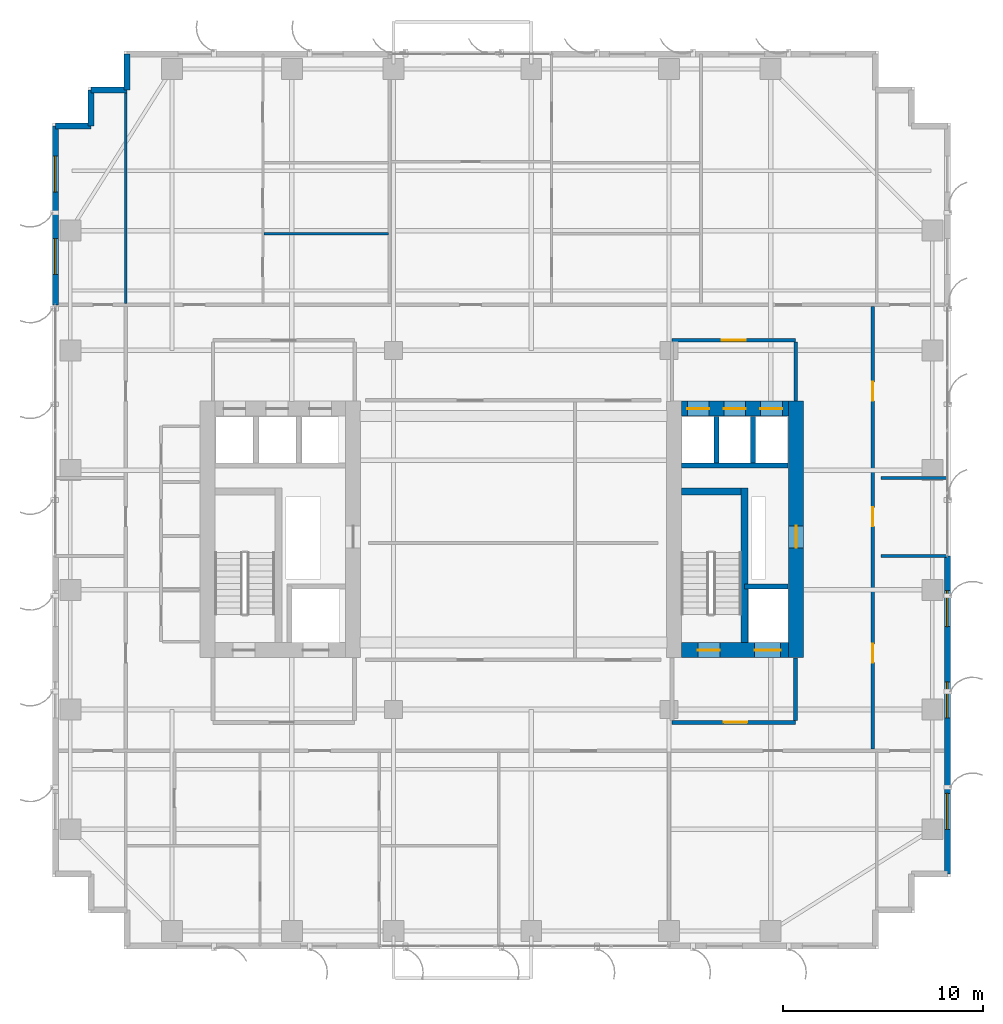
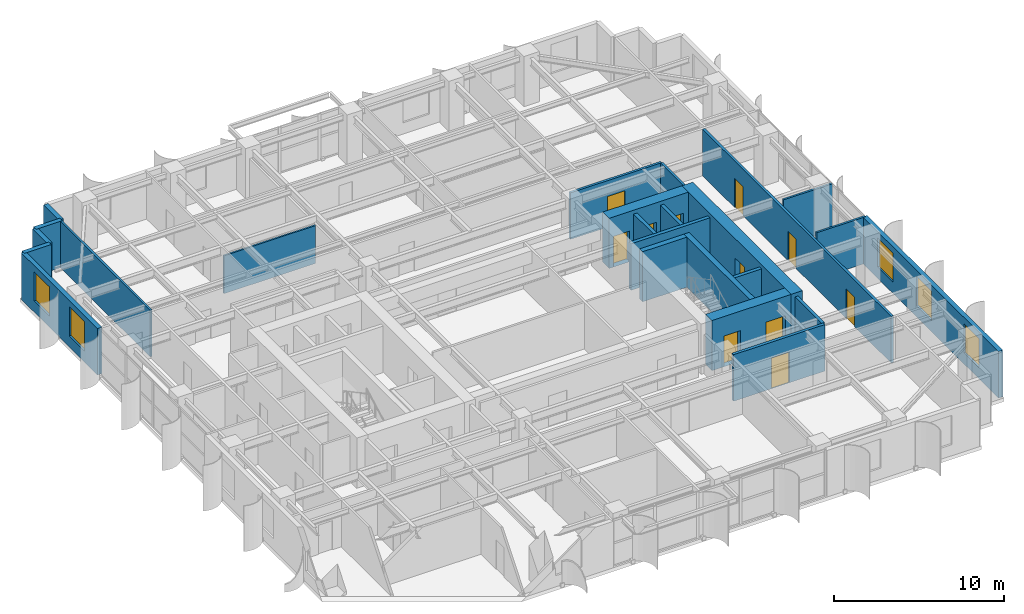
# One storey, part 18 of 23: 24 walls, 11 doors, 5 windows, 16 openings.
"""IFC4 building model written with IfcOpenShell, lengths in metres."""

from ifc_helpers import new_model, si_unit, direction, frame, frame_2d, origin, place, context, subcontext, project, spatial, rectangle, extrude, source, transform, mapped, material, layer, layer_set, type_object, element, fill, save


model = new_model("IFC4")

# Units and contexts
model_context = context("Model", 3, precision=1e-05, world=origin(), true_north=direction((0.0, 1.0)))
body_context = subcontext(model_context, "Body", "Model", "MODEL_VIEW")
ifc_project = project(units=[si_unit("LENGTHUNIT", "METRE"), si_unit("AREAUNIT", "SQUARE_METRE"), si_unit("VOLUMEUNIT", "CUBIC_METRE"), si_unit("PLANEANGLEUNIT", "RADIAN"), si_unit("MASSUNIT", "GRAM", prefix="KILO")], contexts=[model_context])

# Site, building, storey
site_placement = place(None, origin())
site = spatial("IfcSite", under=ifc_project, at=site_placement, CompositionType="ELEMENT")
building_placement = place(site_placement, origin())
building = spatial("IfcBuilding", under=site, at=building_placement, Name="Khoralis Quay Care Tower", CompositionType="ELEMENT")
storey_placement = place(building_placement, frame((0.0, 0.0, 119.699951171875)))
storey = spatial("IfcBuildingStorey", under=building, at=storey_placement, Name="L31", CompositionType="ELEMENT", Elevation=119.699951171875)

# Wall, opening, door
ifc_material_1 = material(Name="Gypsum plasterboard on acoustic metal stud")
ifc_layer_1 = layer(ifc_material_1, 0.199951171875)
ifc_layer_set_1 = layer_set([ifc_layer_1], Name="Gypsum plasterboard on acoustic metal stud")
wall_type_1 = type_object("IfcWallType", Name="WL-COMP-200", PredefinedType="PARTITIONING", material=ifc_layer_set_1)
wall_1_placement = place(storey_placement, frame((31.050048828125, 11.35009765625, 0.0), z_axis=(0.0, 0.0, 1.0), x_axis=(1.0, 0.0, 0.0)))
wall_1 = element("IfcWall", 1, at=wall_1_placement, inside=storey, type_object=wall_type_1, Name="L31 East Firefighting Lobby South Wall", PredefinedType="PARTITIONING", context=body_context, shape_type="SweptSolid", body=[
    extrude(rectangle(XDim=6.199951171875, YDim=0.199951171875, at=frame_2d((3.10009765625, 0.0))), origin(), (0.0, 0.0, 1.0), 3.340087890625),
])
opening_1_placement = place(wall_1_placement, frame((2.585693359375, 0.0, 0.0)))
opening_1 = element("IfcOpeningElement", 2, at=opening_1_placement, cuts=wall_1, Name="Opening FD1", PredefinedType="OPENING", context=body_context, shape_type="SweptSolid", body=[
    extrude(rectangle(XDim=1.199951171875, YDim=2.199951171875, at=frame_2d((0.60009765625, 1.10009765625))), frame((0.0, 0.10986328125, 0.0), z_axis=(0.0, -1.0, 0.0), x_axis=(1.0, 0.0, 0.0)), (0.0, 0.0, 1.0), 0.219970703125),
])
ifc_material_2 = material(Name="Fire-rated painted steel", Category="steel")
door_type_1 = type_object("IfcDoorType", Name="DR-FFL-1200X2200", OperationType="NOTDEFINED", PredefinedType="DOOR", material=ifc_material_2)
shared_shape_1 = source(origin(), body_context, "Body", "SweptSolid", [
    extrude(rectangle(XDim=1.199951171875, YDim=2.199951171875, at=frame_2d((0.60009765625, 1.10009765625))), frame((0.0, 0.02490234375, 0.0), z_axis=(0.0, -1.0, 0.0), x_axis=(1.0, 0.0, 0.0)), (0.0, 0.0, 1.0), 0.050048828125),
])
door_1_placement = place(opening_1_placement, origin())
door_1 = element("IfcDoor", 3, at=door_1_placement, inside=storey, type_object=door_type_1, Name="L31 East Firefighting Lobby Fire Door", OperationType="SINGLE_SWING_RIGHT", OverallHeight=2.199951171875, OverallWidth=1.199951171875, PredefinedType="DOOR", context=body_context, shape_type="MappedRepresentation", body=[
    mapped(shared_shape_1, transform((0.0, 0.0, 0.0), scale=1.0)),
])
fill(opening_1, door_1)

# Wall
wall_2_placement = place(storey_placement, frame((37.25, 11.445068359375, 0.0), z_axis=(0.0, 0.0, 1.0), x_axis=(0.0, 1.0, 0.0)))
element("IfcWall", 4, at=wall_2_placement, inside=storey, type_object=wall_type_1, Name="L31 East Firefighting Lobby East Wall", PredefinedType="PARTITIONING", context=body_context, shape_type="SweptSolid", body=[
    extrude(rectangle(XDim=3.135009765625, YDim=0.199951171875, at=frame_2d((1.5673828125, 0.0))), origin(), (0.0, 0.0, 1.0), 3.340087890625),
])

# Wall, opening, door
ifc_material_3 = material(Name="Concrete C80/95", Category="concrete")
ifc_layer_2 = layer(ifc_material_3, 0.75)
ifc_layer_set_2 = layer_set([ifc_layer_2], Name="Concrete C80/95")
wall_type_2 = type_object("IfcWallType", Name="WL-CORE-750", PredefinedType="SHEAR", material=ifc_layer_set_2)
wall_3_placement = place(storey_placement, frame((37.27490234375, 14.60009765625, 0.0), z_axis=(0.0, 0.0, 1.0), x_axis=(0.0, 1.0, 0.0)))
wall_3 = element("IfcWall", 5, at=wall_3_placement, inside=storey, type_object=wall_type_2, Name="L31 ECORE East Shear Wall", PredefinedType="SHEAR", context=body_context, shape_type="SweptSolid", body=[
    extrude(rectangle(XDim=12.849853515625, YDim=0.75, at=frame_2d((6.4248046875, 0.0))), origin(), (0.0, 0.0, 1.0), 3.60009765625),
])
opening_2_placement = place(wall_3_placement, frame((5.5, 0.0, 0.0)))
opening_2 = element("IfcOpeningElement", 6, at=opening_2_placement, cuts=wall_3, Name="Opening SD1", PredefinedType="OPENING", context=body_context, shape_type="SweptSolid", body=[
    extrude(rectangle(XDim=1.10009765625, YDim=2.199951171875, at=frame_2d((0.550048828125, 1.10009765625))), frame((0.0, 0.385009765625, 0.0), z_axis=(0.0, -1.0, 0.0), x_axis=(1.0, 0.0, 0.0)), (0.0, 0.0, 1.0), 0.77001953125),
])
door_type_2 = type_object("IfcDoorType", Name="DR-STAIR-1100X2200", OperationType="NOTDEFINED", PredefinedType="DOOR", material=ifc_material_2)
shared_shape_2 = source(origin(), body_context, "Body", "SweptSolid", [
    extrude(rectangle(XDim=1.10009765625, YDim=2.199951171875, at=frame_2d((0.550048828125, 1.10009765625))), frame((0.0, 0.02490234375, 0.0), z_axis=(0.0, -1.0, 0.0), x_axis=(1.0, 0.0, 0.0)), (0.0, 0.0, 1.0), 0.050048828125),
])
door_2_placement = place(opening_2_placement, frame((1.10009765625, 0.0, 0.0), z_axis=(0.0, 0.0, 1.0), x_axis=(-1.0, 0.0, 0.0)))
door_2 = element("IfcDoor", 7, at=door_2_placement, inside=storey, type_object=door_type_2, Name="L31 East MEP Riser Door", OperationType="SINGLE_SWING_RIGHT", OverallHeight=2.199951171875, OverallWidth=1.10009765625, PredefinedType="DOOR", context=body_context, shape_type="MappedRepresentation", body=[
    mapped(shared_shape_2, transform((0.0, 0.0, 0.0), scale=1.0)),
])
fill(opening_2, door_2)

# Wall, openings, doors
wall_4_placement = place(storey_placement, frame((31.52001953125, 14.97509765625, 0.0), z_axis=(0.0, 0.0, 1.0), x_axis=(1.0, 0.0, 0.0)))
wall_4 = element("IfcWall", 8, at=wall_4_placement, inside=storey, type_object=wall_type_2, Name="L31 ECORE South Shear Wall", PredefinedType="SHEAR", context=body_context, shape_type="SweptSolid", body=[
    extrude(rectangle(XDim=5.3798828125, YDim=0.75, at=frame_2d((2.68994140625, 0.0))), origin(), (0.0, 0.0, 1.0), 3.60009765625),
])
opening_3_placement = place(wall_4_placement, frame((0.830078125, 0.0, 0.0)))
opening_3 = element("IfcOpeningElement", 9, at=opening_3_placement, cuts=wall_4, Name="Opening SD1", PredefinedType="OPENING", context=body_context, shape_type="SweptSolid", body=[
    extrude(rectangle(XDim=1.10009765625, YDim=2.199951171875, at=frame_2d((0.550048828125, 1.10009765625))), frame((0.0, 0.385009765625, 0.0), z_axis=(0.0, -1.0, 0.0), x_axis=(1.0, 0.0, 0.0)), (0.0, 0.0, 1.0), 0.77001953125),
])
opening_4_placement = place(wall_4_placement, frame((3.679931640625, 0.0, 0.0)))
opening_4 = element("IfcOpeningElement", 10, at=opening_4_placement, cuts=wall_4, Name="Opening LD2", PredefinedType="OPENING", context=body_context, shape_type="SweptSolid", body=[
    extrude(rectangle(XDim=1.300048828125, YDim=2.199951171875, at=frame_2d((0.64990234375, 1.10009765625))), frame((0.0, 0.385009765625, 0.0), z_axis=(0.0, -1.0, 0.0), x_axis=(1.0, 0.0, 0.0)), (0.0, 0.0, 1.0), 0.77001953125),
])
door_3_placement = place(opening_3_placement, origin())
door_3 = element("IfcDoor", 11, at=door_3_placement, inside=storey, type_object=door_type_2, Name="L31 Stair ST-T2 Fire Door", OperationType="SINGLE_SWING_RIGHT", OverallHeight=2.199951171875, OverallWidth=1.10009765625, PredefinedType="DOOR", context=body_context, shape_type="MappedRepresentation", body=[
    mapped(shared_shape_2, transform((0.0, 0.0, 0.0), scale=1.0)),
])
fill(opening_3, door_3)
ifc_material_4 = material(Name="Brushed stainless steel", Category="steel")
door_type_3 = type_object("IfcDoorType", Name="DR-LIFT-1300X2200", OperationType="SLIDING_TO_RIGHT", PredefinedType="DOOR", material=ifc_material_4)
shared_shape_3 = source(origin(), body_context, "Body", "SweptSolid", [
    extrude(rectangle(XDim=1.300048828125, YDim=2.199951171875, at=frame_2d((0.64990234375, 1.10009765625))), frame((0.0, 0.02490234375, 0.0), z_axis=(0.0, -1.0, 0.0), x_axis=(1.0, 0.0, 0.0)), (0.0, 0.0, 1.0), 0.050048828125),
])
door_4_placement = place(opening_4_placement, origin())
door_4 = element("IfcDoor", 12, at=door_4_placement, inside=storey, type_object=door_type_3, Name="L31 Firefighting Lift FFL-2 Landing Door", OperationType="SLIDING_TO_RIGHT", OverallHeight=2.199951171875, OverallWidth=1.300048828125, PredefinedType="DOOR", context=body_context, shape_type="MappedRepresentation", body=[
    mapped(shared_shape_3, transform((0.0, 0.0, 0.0), scale=1.0)),
])
fill(opening_4, door_4)

wall_5_placement = place(storey_placement, frame((31.52001953125, 27.074951171875, 0.0), z_axis=(0.0, 0.0, 1.0), x_axis=(1.0, 0.0, 0.0)))
wall_5 = element("IfcWall", 13, at=wall_5_placement, inside=storey, type_object=wall_type_2, Name="L31 ECORE North Shear Wall", PredefinedType="SHEAR", context=body_context, shape_type="SweptSolid", body=[
    extrude(rectangle(XDim=5.3798828125, YDim=0.75, at=frame_2d((2.68994140625, 0.0))), origin(), (0.0, 0.0, 1.0), 3.60009765625),
])
opening_5_placement = place(wall_5_placement, frame((0.300048828125, 0.0, 0.0)))
opening_5 = element("IfcOpeningElement", 14, at=opening_5_placement, cuts=wall_5, Name="Opening LD1", PredefinedType="OPENING", context=body_context, shape_type="SweptSolid", body=[
    extrude(rectangle(XDim=1.10009765625, YDim=2.199951171875, at=frame_2d((0.550048828125, 1.10009765625))), frame((0.0, 0.385009765625, 0.0), z_axis=(0.0, -1.0, 0.0), x_axis=(1.0, 0.0, 0.0)), (0.0, 0.0, 1.0), 0.77001953125),
])
opening_6_placement = place(wall_5_placement, frame((2.1298828125, 0.0, 0.0)))
opening_6 = element("IfcOpeningElement", 15, at=opening_6_placement, cuts=wall_5, Name="Opening LD1", PredefinedType="OPENING", context=body_context, shape_type="SweptSolid", body=[
    extrude(rectangle(XDim=1.10009765625, YDim=2.199951171875, at=frame_2d((0.550048828125, 1.10009765625))), frame((0.0, 0.385009765625, 0.0), z_axis=(0.0, -1.0, 0.0), x_axis=(1.0, 0.0, 0.0)), (0.0, 0.0, 1.0), 0.77001953125),
])
opening_7_placement = place(wall_5_placement, frame((3.9599609375, 0.0, 0.0)))
opening_7 = element("IfcOpeningElement", 16, at=opening_7_placement, cuts=wall_5, Name="Opening LD1", PredefinedType="OPENING", context=body_context, shape_type="SweptSolid", body=[
    extrude(rectangle(XDim=1.10009765625, YDim=2.199951171875, at=frame_2d((0.550048828125, 1.10009765625))), frame((0.0, 0.385009765625, 0.0), z_axis=(0.0, -1.0, 0.0), x_axis=(1.0, 0.0, 0.0)), (0.0, 0.0, 1.0), 0.77001953125),
])
door_type_4 = type_object("IfcDoorType", Name="DR-LIFT-1100X2200", OperationType="SLIDING_TO_LEFT", PredefinedType="DOOR", material=ifc_material_4)
shared_shape_4 = source(origin(), body_context, "Body", "SweptSolid", [
    extrude(rectangle(XDim=1.10009765625, YDim=2.199951171875, at=frame_2d((0.550048828125, 1.10009765625))), frame((0.0, 0.02490234375, 0.0), z_axis=(0.0, -1.0, 0.0), x_axis=(1.0, 0.0, 0.0)), (0.0, 0.0, 1.0), 0.050048828125),
])
door_5_placement = place(opening_5_placement, origin())
door_5 = element("IfcDoor", 17, at=door_5_placement, inside=storey, type_object=door_type_4, Name="L31 Lift PLL2 Landing Door", OperationType="SLIDING_TO_LEFT", OverallHeight=2.199951171875, OverallWidth=1.10009765625, PredefinedType="DOOR", context=body_context, shape_type="MappedRepresentation", body=[
    mapped(shared_shape_4, transform((0.0, 0.0, 0.0), scale=1.0)),
])
fill(opening_5, door_5)
door_6_placement = place(opening_6_placement, origin())
door_6 = element("IfcDoor", 18, at=door_6_placement, inside=storey, type_object=door_type_4, Name="L31 Lift PLM2 Landing Door", OperationType="SLIDING_TO_LEFT", OverallHeight=2.199951171875, OverallWidth=1.10009765625, PredefinedType="DOOR", context=body_context, shape_type="MappedRepresentation", body=[
    mapped(shared_shape_4, transform((0.0, 0.0, 0.0), scale=1.0)),
])
fill(opening_6, door_6)
door_7_placement = place(opening_7_placement, origin())
door_7 = element("IfcDoor", 19, at=door_7_placement, inside=storey, type_object=door_type_4, Name="L31 Lift PLH2 Landing Door", OperationType="SLIDING_TO_LEFT", OverallHeight=2.199951171875, OverallWidth=1.10009765625, PredefinedType="DOOR", context=body_context, shape_type="MappedRepresentation", body=[
    mapped(shared_shape_4, transform((0.0, 0.0, 0.0), scale=1.0)),
])
fill(opening_7, door_7)

# Wall, opening, door
ifc_layer_3 = layer(ifc_material_1, 0.1650390625)
ifc_layer_set_3 = layer_set([ifc_layer_3], Name="Gypsum plasterboard on acoustic metal stud")
wall_type_3 = type_object("IfcWallType", Name="WL-CORR-165", PredefinedType="PARTITIONING", material=ifc_layer_set_3)
wall_6_placement = place(storey_placement, frame((31.050048828125, 30.5, 0.0), z_axis=(0.0, 0.0, 1.0), x_axis=(1.0, 0.0, 0.0)))
wall_6 = element("IfcWall", 20, at=wall_6_placement, inside=storey, type_object=wall_type_3, Name="L31 East Lift Lobby North Wall", PredefinedType="PARTITIONING", context=body_context, shape_type="SweptSolid", body=[
    extrude(rectangle(XDim=6.199951171875, YDim=0.1650390625, at=frame_2d((3.10009765625, 0.0))), origin(), (0.0, 0.0, 1.0), 3.340087890625),
])
opening_8_placement = place(wall_6_placement, frame((2.5, 0.0, 0.0)))
opening_8 = element("IfcOpeningElement", 21, at=opening_8_placement, cuts=wall_6, Name="Opening FD1", PredefinedType="OPENING", context=body_context, shape_type="SweptSolid", body=[
    extrude(rectangle(XDim=1.199951171875, YDim=2.199951171875, at=frame_2d((0.60009765625, 1.10009765625))), frame((0.0, 0.092529296875, 0.0), z_axis=(0.0, -1.0, 0.0), x_axis=(1.0, 0.0, 0.0)), (0.0, 0.0, 1.0), 0.18505859375),
])
door_8_placement = place(opening_8_placement, origin())
door_8 = element("IfcDoor", 22, at=door_8_placement, inside=storey, type_object=door_type_1, Name="L31 East Lift Lobby Double Door", OperationType="DOUBLE_DOOR_SINGLE_SWING", OverallHeight=2.199951171875, OverallWidth=1.199951171875, PredefinedType="DOOR", context=body_context, shape_type="MappedRepresentation", body=[
    mapped(shared_shape_1, transform((0.0, 0.0, 0.0), scale=1.0)),
])
fill(opening_8, door_8)

# Wall
wall_7_placement = place(storey_placement, frame((37.25, 27.469970703125, 0.0), z_axis=(0.0, 0.0, 1.0), x_axis=(0.0, 1.0, 0.0)))
element("IfcWall", 23, at=wall_7_placement, inside=storey, type_object=wall_type_3, Name="L31 East Lift Lobby East Wall", PredefinedType="PARTITIONING", context=body_context, shape_type="SweptSolid", body=[
    extrude(rectangle(XDim=2.95263671875, YDim=0.1650390625, at=frame_2d((1.476318359375, 0.0))), origin(), (0.0, 0.0, 1.0), 3.340087890625),
])

# Wall, openings, doors
wall_8_placement = place(storey_placement, frame((41.1201171875, 10.017578125, 0.0), z_axis=(0.0, 0.0, 1.0), x_axis=(0.0, 1.0, 0.0)))
wall_8 = element("IfcWall", 24, at=wall_8_placement, inside=storey, type_object=wall_type_3, Name="L31 East Loop Corridor Wall", PredefinedType="PARTITIONING", context=body_context, shape_type="SweptSolid", body=[
    extrude(rectangle(XDim=22.184814453125, YDim=0.1650390625, at=frame_2d((11.09228515625, 0.0))), origin(), (0.0, 0.0, 1.0), 3.340087890625),
])
opening_9_placement = place(wall_8_placement, frame((4.327392578125, 0.0, 0.0)))
opening_9 = element("IfcOpeningElement", 25, at=opening_9_placement, cuts=wall_8, Name="Opening ID1", PredefinedType="OPENING", context=body_context, shape_type="SweptSolid", body=[
    extrude(rectangle(XDim=0.949951171875, YDim=2.10009765625, at=frame_2d((0.47509765625, 1.050048828125))), frame((0.0, 0.092529296875, 0.0), z_axis=(0.0, -1.0, 0.0), x_axis=(1.0, 0.0, 0.0)), (0.0, 0.0, 1.0), 0.18505859375),
])
opening_10_placement = place(wall_8_placement, frame((11.157470703125, 0.0, 0.0)))
opening_10 = element("IfcOpeningElement", 26, at=opening_10_placement, cuts=wall_8, Name="Opening ID1", PredefinedType="OPENING", context=body_context, shape_type="SweptSolid", body=[
    extrude(rectangle(XDim=0.949951171875, YDim=2.10009765625, at=frame_2d((0.47509765625, 1.050048828125))), frame((0.0, 0.092529296875, 0.0), z_axis=(0.0, -1.0, 0.0), x_axis=(1.0, 0.0, 0.0)), (0.0, 0.0, 1.0), 0.18505859375),
])
opening_11_placement = place(wall_8_placement, frame((17.447509765625, 0.0, 0.0)))
opening_11 = element("IfcOpeningElement", 27, at=opening_11_placement, cuts=wall_8, Name="Opening ID1", PredefinedType="OPENING", context=body_context, shape_type="SweptSolid", body=[
    extrude(rectangle(XDim=0.949951171875, YDim=2.10009765625, at=frame_2d((0.47509765625, 1.050048828125))), frame((0.0, 0.092529296875, 0.0), z_axis=(0.0, -1.0, 0.0), x_axis=(1.0, 0.0, 0.0)), (0.0, 0.0, 1.0), 0.18505859375),
])
ifc_material_5 = material(Name="Acoustic hardwood timber", Category="wood")
door_type_5 = type_object("IfcDoorType", Name="DR-ROOM-950X2100", OperationType="NOTDEFINED", PredefinedType="DOOR", material=ifc_material_5)
shared_shape_5 = source(origin(), body_context, "Body", "SweptSolid", [
    extrude(rectangle(XDim=0.949951171875, YDim=2.10009765625, at=frame_2d((0.47509765625, 1.050048828125))), frame((0.0, 0.02490234375, 0.0), z_axis=(0.0, -1.0, 0.0), x_axis=(1.0, 0.0, 0.0)), (0.0, 0.0, 1.0), 0.050048828125),
])
door_9_placement = place(opening_9_placement, frame((0.949951171875, 0.0, 0.0), z_axis=(0.0, 0.0, 1.0), x_axis=(-1.0, 0.0, 0.0)))
door_9 = element("IfcDoor", 28, at=door_9_placement, inside=storey, type_object=door_type_5, Name="L31 Therapy Consultation Room Door", OperationType="SINGLE_SWING_LEFT", OverallHeight=2.10009765625, OverallWidth=0.949951171875, PredefinedType="DOOR", context=body_context, shape_type="MappedRepresentation", body=[
    mapped(shared_shape_5, transform((0.0, 0.0, 0.0), scale=1.0)),
])
fill(opening_9, door_9)
door_10_placement = place(opening_10_placement, frame((0.949951171875, 0.0, 0.0), z_axis=(0.0, 0.0, 1.0), x_axis=(-1.0, 0.0, 0.0)))
door_10 = element("IfcDoor", 29, at=door_10_placement, inside=storey, type_object=door_type_5, Name="L31 Assisted Activity Lounge Door", OperationType="SINGLE_SWING_RIGHT", OverallHeight=2.10009765625, OverallWidth=0.949951171875, PredefinedType="DOOR", context=body_context, shape_type="MappedRepresentation", body=[
    mapped(shared_shape_5, transform((0.0, 0.0, 0.0), scale=1.0)),
])
fill(opening_10, door_10)
door_11_placement = place(opening_11_placement, frame((0.949951171875, 0.0, 0.0), z_axis=(0.0, 0.0, 1.0), x_axis=(-1.0, 0.0, 0.0)))
door_11 = element("IfcDoor", 30, at=door_11_placement, inside=storey, type_object=door_type_5, Name="L31 Nurse Charting Office Door", OperationType="SINGLE_SWING_LEFT", OverallHeight=2.10009765625, OverallWidth=0.949951171875, PredefinedType="DOOR", context=body_context, shape_type="MappedRepresentation", body=[
    mapped(shared_shape_5, transform((0.0, 0.0, 0.0), scale=1.0)),
])
fill(opening_11, door_11)

# Wall, openings, windows
ifc_material_6 = material(Name="Precast concrete C45/55", Category="concrete")
ifc_layer_4 = layer(ifc_material_6, 0.300048828125)
ifc_layer_set_4 = layer_set([ifc_layer_4], Name="Precast concrete C45/55")
wall_type_4 = type_object("IfcWallType", Name="WL-EXT-REF-300", PredefinedType="SOLIDWALL", material=ifc_layer_set_4)
wall_9_placement = place(storey_placement, frame((44.85009765625, 3.75, 0.0), z_axis=(0.0, 0.0, 1.0), x_axis=(0.0, 1.0, 0.0)))
wall_9 = element("IfcWall", 31, at=wall_9_placement, inside=storey, type_object=wall_type_4, Name="L31 External Facade Wall WL-EXT-L31-P1-E5A", PredefinedType="SOLIDWALL", context=body_context, shape_type="SweptSolid", body=[
    extrude(rectangle(XDim=15.949951171875, YDim=0.300048828125, at=frame_2d((7.97509765625, 0.0))), origin(), (0.0, 0.0, 1.0), 3.340087890625),
])
opening_12_placement = place(wall_9_placement, frame((2.2451171875, 0.0, 0.800048828125)))
opening_12 = element("IfcOpeningElement", 32, at=opening_12_placement, cuts=wall_9, Name="Opening W2", PredefinedType="OPENING", context=body_context, shape_type="SweptSolid", body=[
    extrude(rectangle(XDim=1.800048828125, YDim=2.10009765625, at=frame_2d((0.89990234375, 1.050048828125))), frame((0.0, 0.16015625, 0.0), z_axis=(0.0, -1.0, 0.0), x_axis=(1.0, 0.0, 0.0)), (0.0, 0.0, 1.0), 0.320068359375),
])
opening_13_placement = place(wall_9_placement, frame((7.8349609375, 0.0, 0.800048828125)))
opening_13 = element("IfcOpeningElement", 33, at=opening_13_placement, cuts=wall_9, Name="Opening W2", PredefinedType="OPENING", context=body_context, shape_type="SweptSolid", body=[
    extrude(rectangle(XDim=1.800048828125, YDim=2.10009765625, at=frame_2d((0.89990234375, 1.050048828125))), frame((0.0, 0.16015625, 0.0), z_axis=(0.0, -1.0, 0.0), x_axis=(1.0, 0.0, 0.0)), (0.0, 0.0, 1.0), 0.320068359375),
])
opening_14_placement = place(wall_9_placement, frame((12.405029296875, 0.0, 0.800048828125)))
opening_14 = element("IfcOpeningElement", 34, at=opening_14_placement, cuts=wall_9, Name="Opening W2", PredefinedType="OPENING", context=body_context, shape_type="SweptSolid", body=[
    extrude(rectangle(XDim=1.800048828125, YDim=2.10009765625, at=frame_2d((0.89990234375, 1.050048828125))), frame((0.0, 0.16015625, 0.0), z_axis=(0.0, -1.0, 0.0), x_axis=(1.0, 0.0, 0.0)), (0.0, 0.0, 1.0), 0.320068359375),
])
ifc_material_7 = material(Name="Low-E solar-control double glazing", Category="glass")
window_type = type_object("IfcWindowType", Name="WN-POD-1800X2100", PartitioningType="SINGLE_PANEL", PredefinedType="WINDOW", material=ifc_material_7)
shared_shape_6 = source(origin(), body_context, "Body", "SweptSolid", [
    extrude(rectangle(XDim=1.800048828125, YDim=2.10009765625, at=frame_2d((0.89990234375, 1.050048828125))), frame((0.0, 0.030029296875, 0.0), z_axis=(0.0, -1.0, 0.0), x_axis=(1.0, 0.0, 0.0)), (0.0, 0.0, 1.0), 0.06005859375),
])
window_1_placement = place(opening_12_placement, origin())
window_1 = element("IfcWindow", 35, at=window_1_placement, inside=storey, type_object=window_type, Name="WN-L31-P1-E5A Facade Window 01", OverallHeight=2.10009765625, OverallWidth=1.800048828125, PartitioningType="SINGLE_PANEL", PredefinedType="WINDOW", context=body_context, shape_type="MappedRepresentation", body=[
    mapped(shared_shape_6, transform((0.0, 0.0, 0.0), scale=1.0)),
])
fill(opening_12, window_1)
window_2_placement = place(opening_13_placement, origin())
window_2 = element("IfcWindow", 36, at=window_2_placement, inside=storey, type_object=window_type, Name="WN-L31-P1-E5A Facade Window 02", OverallHeight=2.10009765625, OverallWidth=1.800048828125, PartitioningType="SINGLE_PANEL", PredefinedType="WINDOW", context=body_context, shape_type="MappedRepresentation", body=[
    mapped(shared_shape_6, transform((0.0, 0.0, 0.0), scale=1.0)),
])
fill(opening_13, window_2)
window_3_placement = place(opening_14_placement, origin())
window_3 = element("IfcWindow", 37, at=window_3_placement, inside=storey, type_object=window_type, Name="WN-L31-P1-E5A Facade Window 03", OverallHeight=2.10009765625, OverallWidth=1.800048828125, PartitioningType="SINGLE_PANEL", PredefinedType="WINDOW", context=body_context, shape_type="MappedRepresentation", body=[
    mapped(shared_shape_6, transform((0.0, 0.0, 0.0), scale=1.0)),
])
fill(opening_14, window_3)

# Walls
for number, where, z_axis, x_axis, name in (
    (38, (3.75, 44.85009765625, 0.0), (0.0, 0.0, 1.0), (0.0, -1.0, 0.0), "L31 External Facade Wall WL-EXT-L31-P1-C11"),
    (39, (3.75, 43.050048828125, 0.0), (0.0, 0.0, 1.0), (-1.0, 0.0, 0.0), "L31 External Facade Wall WL-EXT-L31-P1-C12"),
    (40, (1.949951171875, 43.050048828125, 0.0), (0.0, 0.0, 1.0), (0.0, -1.0, 0.0), "L31 External Facade Wall WL-EXT-L31-P1-C13"),
    (41, (1.949951171875, 41.25, 0.0), (0.0, 0.0, 1.0), (-1.0, 0.0, 0.0), "L31 External Facade Wall WL-EXT-L31-P1-C14"),
):
    element("IfcWall", number, at=place(storey_placement, frame(where, z_axis=z_axis, x_axis=x_axis)), inside=storey, type_object=wall_type_4, Name=name, PredefinedType="SOLIDWALL", context=body_context, shape_type="SweptSolid", body=[
        extrude(rectangle(XDim=1.800048828125, YDim=0.300048828125, at=frame_2d((0.89990234375, 0.0))), origin(), (0.0, 0.0, 1.0), 3.340087890625),
    ])

# Wall, openings, windows
wall_10_placement = place(storey_placement, frame((0.14990234375, 41.25, 0.0), z_axis=(0.0, 0.0, 1.0), x_axis=(0.0, -1.0, 0.0)))
wall_10 = element("IfcWall", 42, at=wall_10_placement, inside=storey, type_object=wall_type_4, Name="L31 External Facade Wall WL-EXT-L31-P1-E15A", PredefinedType="SOLIDWALL", context=body_context, shape_type="SweptSolid", body=[
    extrude(rectangle(XDim=8.969970703125, YDim=0.300048828125, at=frame_2d((4.48486328125, 0.0))), origin(), (0.0, 0.0, 1.0), 3.340087890625),
])
opening_15_placement = place(wall_10_placement, frame((1.5224609375, 0.0, 0.800048828125)))
opening_15 = element("IfcOpeningElement", 43, at=opening_15_placement, cuts=wall_10, Name="Opening W2", PredefinedType="OPENING", context=body_context, shape_type="SweptSolid", body=[
    extrude(rectangle(XDim=1.800048828125, YDim=2.10009765625, at=frame_2d((0.89990234375, 1.050048828125))), frame((0.0, 0.16015625, 0.0), z_axis=(0.0, -1.0, 0.0), x_axis=(1.0, 0.0, 0.0)), (0.0, 0.0, 1.0), 0.320068359375),
])
opening_16_placement = place(wall_10_placement, frame((5.6474609375, 0.0, 0.800048828125)))
opening_16 = element("IfcOpeningElement", 44, at=opening_16_placement, cuts=wall_10, Name="Opening W2", PredefinedType="OPENING", context=body_context, shape_type="SweptSolid", body=[
    extrude(rectangle(XDim=1.800048828125, YDim=2.10009765625, at=frame_2d((0.89990234375, 1.050048828125))), frame((0.0, 0.16015625, 0.0), z_axis=(0.0, -1.0, 0.0), x_axis=(1.0, 0.0, 0.0)), (0.0, 0.0, 1.0), 0.320068359375),
])
window_4_placement = place(opening_15_placement, origin())
window_4 = element("IfcWindow", 45, at=window_4_placement, inside=storey, type_object=window_type, Name="WN-L31-P1-E15A Facade Window 01", OverallHeight=2.10009765625, OverallWidth=1.800048828125, PartitioningType="SINGLE_PANEL", PredefinedType="WINDOW", context=body_context, shape_type="MappedRepresentation", body=[
    mapped(shared_shape_6, transform((0.0, 0.0, 0.0), scale=1.0)),
])
fill(opening_15, window_4)
window_5_placement = place(opening_16_placement, origin())
window_5 = element("IfcWindow", 46, at=window_5_placement, inside=storey, type_object=window_type, Name="WN-L31-P1-E15A Facade Window 02", OverallHeight=2.10009765625, OverallWidth=1.800048828125, PartitioningType="SINGLE_PANEL", PredefinedType="WINDOW", context=body_context, shape_type="MappedRepresentation", body=[
    mapped(shared_shape_6, transform((0.0, 0.0, 0.0), scale=1.0)),
])
fill(opening_16, window_5)

# Walls
ifc_layer_5 = layer(ifc_material_1, 0.114990234375)
ifc_layer_set_5 = layer_set([ifc_layer_5], Name="Gypsum plasterboard on acoustic metal stud")
wall_type_5 = type_object("IfcWallType", Name="WL-PART-115", PredefinedType="PARTITIONING", material=ifc_layer_set_5)
wall_11_placement = place(storey_placement, frame((10.6064453125, 35.841064453125, 0.0), z_axis=(0.0, 0.0, 1.0), x_axis=(1.0, 0.0, 0.0)))
element("IfcWall", 47, at=wall_11_placement, inside=storey, type_object=wall_type_5, Name="L31 Unit 0 Kitchen Wall", PredefinedType="PARTITIONING", context=body_context, shape_type="SweptSolid", body=[
    extrude(rectangle(XDim=6.228515625, YDim=0.114990234375, at=frame_2d((3.1142578125, 0.0))), origin(), (0.0, 0.0, 1.0), 2.72314453125),
])
ifc_material_8 = material(Name="Concrete C40/50", Category="concrete")
ifc_layer_6 = layer(ifc_material_8, 0.35009765625)
ifc_layer_set_6 = layer_set([ifc_layer_6], Name="Concrete C40/50")
wall_type_6 = type_object("IfcWallType", Name="WL-SC-CORE-350", PredefinedType="SHEAR", material=ifc_layer_set_6)
wall_12_placement = place(storey_placement, frame((34.695068359375, 15.35009765625, 0.0), z_axis=(0.0, 0.0, 1.0), x_axis=(0.0, 1.0, 0.0)))
element("IfcWall", 48, at=wall_12_placement, inside=storey, type_object=wall_type_6, Name="L31 Stair ST-T2 Shear Baffle Wall East", PredefinedType="SHEAR", context=body_context, shape_type="SweptSolid", body=[
    extrude(rectangle(XDim=7.75, YDim=0.35009765625, at=frame_2d((3.875, 0.0))), origin(), (0.0, 0.0, 1.0), 3.60009765625),
])
wall_13_placement = place(storey_placement, frame((31.52001953125, 22.925048828125, 0.0), z_axis=(0.0, 0.0, 1.0), x_axis=(1.0, 0.0, 0.0)))
element("IfcWall", 49, at=wall_13_placement, inside=storey, type_object=wall_type_6, Name="L31 Stair ST-T2 Shear Baffle Wall North", PredefinedType="SHEAR", context=body_context, shape_type="SweptSolid", body=[
    extrude(rectangle(XDim=3.0, YDim=0.35009765625, at=frame_2d((1.5, 0.0))), origin(), (0.0, 0.0, 1.0), 3.60009765625),
])
ifc_layer_7 = layer(ifc_material_1, 0.239990234375)
ifc_layer_set_7 = layer_set([ifc_layer_7], Name="Gypsum plasterboard on acoustic metal stud")
wall_type_7 = type_object("IfcWallType", Name="WL-SHAFT-240", PredefinedType="PARTITIONING", material=ifc_layer_set_7)
wall_14_placement = place(storey_placement, frame((34.679931640625, 18.169921875, 0.0), z_axis=(0.0, 0.0, 1.0), x_axis=(1.0, 0.0, 0.0)))
element("IfcWall", 50, at=wall_14_placement, inside=storey, type_object=wall_type_7, Name="L31 FFL-2 Shaft Wall North", PredefinedType="PARTITIONING", context=body_context, shape_type="SweptSolid", body=[
    extrude(rectangle(XDim=2.199951171875, YDim=0.239990234375, at=frame_2d((1.10009765625, 0.0))), origin(), (0.0, 0.0, 1.0), 3.340087890625),
])
wall_15_placement = place(storey_placement, frame((31.52001953125, 24.22998046875, 0.0), z_axis=(0.0, 0.0, 1.0), x_axis=(1.0, 0.0, 0.0)))
element("IfcWall", 51, at=wall_15_placement, inside=storey, type_object=wall_type_7, Name="L31 East Passenger Shaft South Wall", PredefinedType="PARTITIONING", context=body_context, shape_type="SweptSolid", body=[
    extrude(rectangle(XDim=5.35986328125, YDim=0.239990234375, at=frame_2d((2.679931640625, 0.0))), origin(), (0.0, 0.0, 1.0), 3.340087890625),
])
for number, where, z_axis, x_axis, name in (
    (52, (33.2900390625, 24.344970703125, 0.0), (0.0, 0.0, 1.0), (0.0, 1.0, 0.0), "L31 East Shaft Divider 1"),
    (53, (35.110107421875, 24.344970703125, 0.0), (0.0, 0.0, 1.0), (0.0, 1.0, 0.0), "L31 East Shaft Divider 2"),
):
    element("IfcWall", number, at=place(storey_placement, frame(where, z_axis=z_axis, x_axis=x_axis)), inside=storey, type_object=wall_type_7, Name=name, PredefinedType="PARTITIONING", context=body_context, shape_type="SweptSolid", body=[
        extrude(rectangle(XDim=2.3349609375, YDim=0.239990234375, at=frame_2d((1.16748046875, 0.0))), origin(), (0.0, 0.0, 1.0), 3.340087890625),
    ])
ifc_layer_8 = layer(ifc_material_1, 0.139892578125)
ifc_layer_set_8 = layer_set([ifc_layer_8], Name="Gypsum plasterboard on acoustic metal stud")
wall_type_8 = type_object("IfcWallType", Name="WL-UNIT-140", PredefinedType="PARTITIONING", material=ifc_layer_set_8)
for number, where, z_axis, x_axis, name in (
    (54, (41.5400390625, 19.699951171875, 0.0), (0.0, 0.0, 1.0), (1.0, 0.0, 0.0), "L31 EE Divider 1"),
    (55, (41.5400390625, 23.60009765625, 0.0), (0.0, 0.0, 1.0), (1.0, 0.0, 0.0), "L31 EE Divider 2"),
):
    element("IfcWall", number, at=place(storey_placement, frame(where, z_axis=z_axis, x_axis=x_axis)), inside=storey, type_object=wall_type_8, Name=name, PredefinedType="PARTITIONING", context=body_context, shape_type="SweptSolid", body=[
        extrude(rectangle(XDim=3.31494140625, YDim=0.139892578125, at=frame_2d((1.657470703125, 0.0))), origin(), (0.0, 0.0, 1.0), 3.340087890625),
    ])
wall_16_placement = place(storey_placement, frame((3.679931640625, 32.357421875, 0.0), z_axis=(0.0, 0.0, 1.0), x_axis=(0.0, 1.0, 0.0)))
element("IfcWall", 56, at=wall_16_placement, inside=storey, type_object=wall_type_8, Name="L31 NB Demising Wall 0", PredefinedType="PARTITIONING", context=body_context, shape_type="SweptSolid", body=[
    extrude(rectangle(XDim=10.697509765625, YDim=0.139892578125, at=frame_2d((5.3486328125, 0.0))), origin(), (0.0, 0.0, 1.0), 3.340087890625),
])

save(model, "model.ifc")
